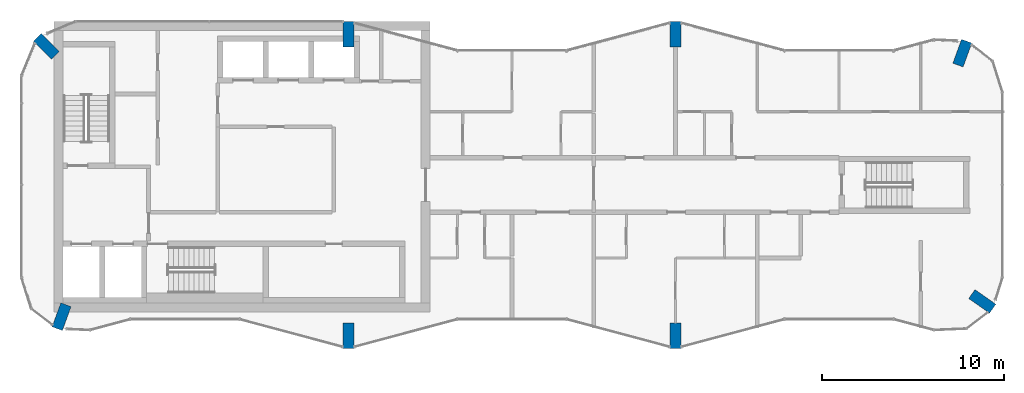
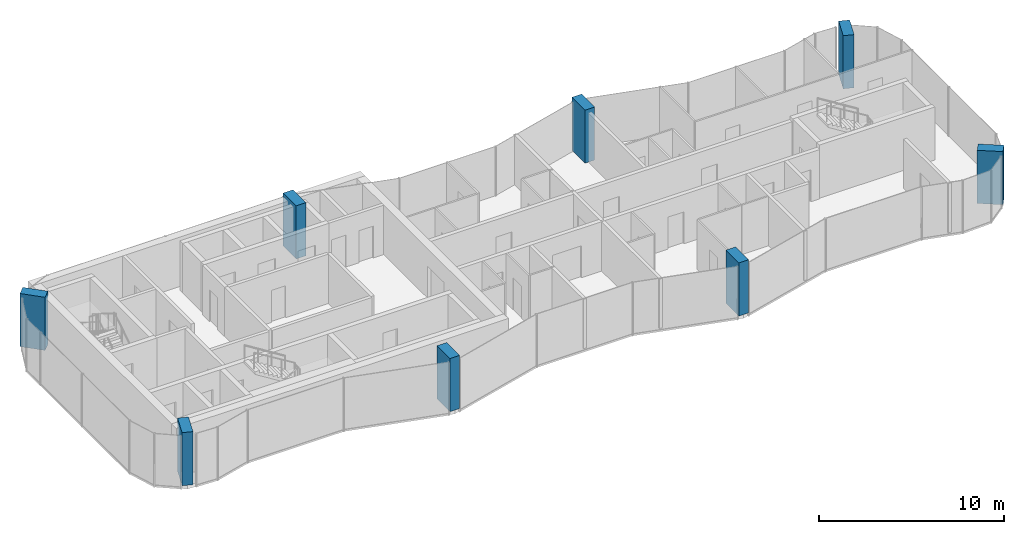
# One storey, part 1 of 10: 8 columns.
"""IFC4 building model written with IfcOpenShell, lengths in metres."""

from ifc_helpers import new_model, si_unit, direction, frame, origin, origin_2d, place, context, subcontext, project, spatial, rectangle, extrude, material, material_profile, profile_set, type_object, element, save


model = new_model("IFC4")

# Units and contexts
model_context = context("Model", 3, precision=1e-05, world=origin(), true_north=direction((0.0, 1.0)))
body_context = subcontext(model_context, "Body", "Model", "MODEL_VIEW")
ifc_project = project(units=[si_unit("LENGTHUNIT", "METRE"), si_unit("AREAUNIT", "SQUARE_METRE"), si_unit("VOLUMEUNIT", "CUBIC_METRE"), si_unit("PLANEANGLEUNIT", "RADIAN"), si_unit("MASSUNIT", "GRAM", prefix="KILO")], contexts=[model_context])

# Site, building, storey
site_placement = place(None, origin())
site = spatial("IfcSite", under=ifc_project, at=site_placement, CompositionType="ELEMENT")
building_placement = place(site_placement, origin())
building = spatial("IfcBuilding", under=site, at=building_placement, Name="Plateau Cross Towers", CompositionType="ELEMENT")
storey_placement = place(building_placement, frame((0.0, 0.0, 249.39990234375)))
storey = spatial("IfcBuildingStorey", under=building, at=storey_placement, Name="L65", CompositionType="ELEMENT", Elevation=249.39990234375)

# Columns
ifc_material = material(Name="Concrete C60/75", Category="concrete")
ifc_material_profile = material_profile(ifc_material, rectangle(XDim=0.60009765625, YDim=1.39990234375, at=origin_2d()), Name="RC 600x1400")
ifc_profile_set = profile_set([ifc_material_profile], Name="Concrete C60/75")
column_type = type_object("IfcColumnType", Name="Fin pier column RC 600x1400", PredefinedType="COLUMN", material=ifc_profile_set)
for number, where, z_axis, x_axis, name in (
    (1, (18.0, 0.699951171875, 0.0), (0.0, 0.0, 1.0), (1.0, 0.0, 0.0), "PR1 L65"),
    (2, (36.0, 0.699951171875, 0.0), (0.0, 0.0, 1.0), (1.0, 0.0, 0.0), "PR2 L65"),
    (3, (52.884033203125, 2.590087890625, 0.0), (0.0, 0.0, 1.0), (0.573542637991, 0.819175709117, 0.0), "PR3 L65"),
    (4, (51.786865234375, 16.251953125, 0.0), (0.0, 0.0, 1.0), (-0.939664280925, 0.342097996418, 0.0), "PR4 L65"),
    (5, (36.0, 17.300048828125, 0.0), (0.0, 0.0, 1.0), (1.0, 0.0, 0.0), "PR5 L65"),
    (6, (18.0, 17.300048828125, 0.0), (0.0, 0.0, 1.0), (1.0, 0.0, 0.0), "PR13 L65"),
    (7, (1.37353515625, 16.62646484375, 0.0), (0.0, 0.0, 1.0), (0.707106781187, 0.707106781187, 0.0), "PR14 L65"),
    (8, (2.213134765625, 1.748046875, 0.0), (0.0, 0.0, 1.0), (-0.939664280925, 0.342097996418, 0.0), "PR12 L65"),
):
    element("IfcColumn", number, at=place(storey_placement, frame(where, z_axis=z_axis, x_axis=x_axis)), inside=storey, type_object=column_type, Name=name, PredefinedType="COLUMN", context=body_context, shape_type="SweptSolid", body=[
        extrude(rectangle(XDim=0.60009765625, YDim=1.39990234375, at=origin_2d()), origin(), (0.0, 0.0, 1.0), 3.5),
    ])

save(model, "model.ifc")
